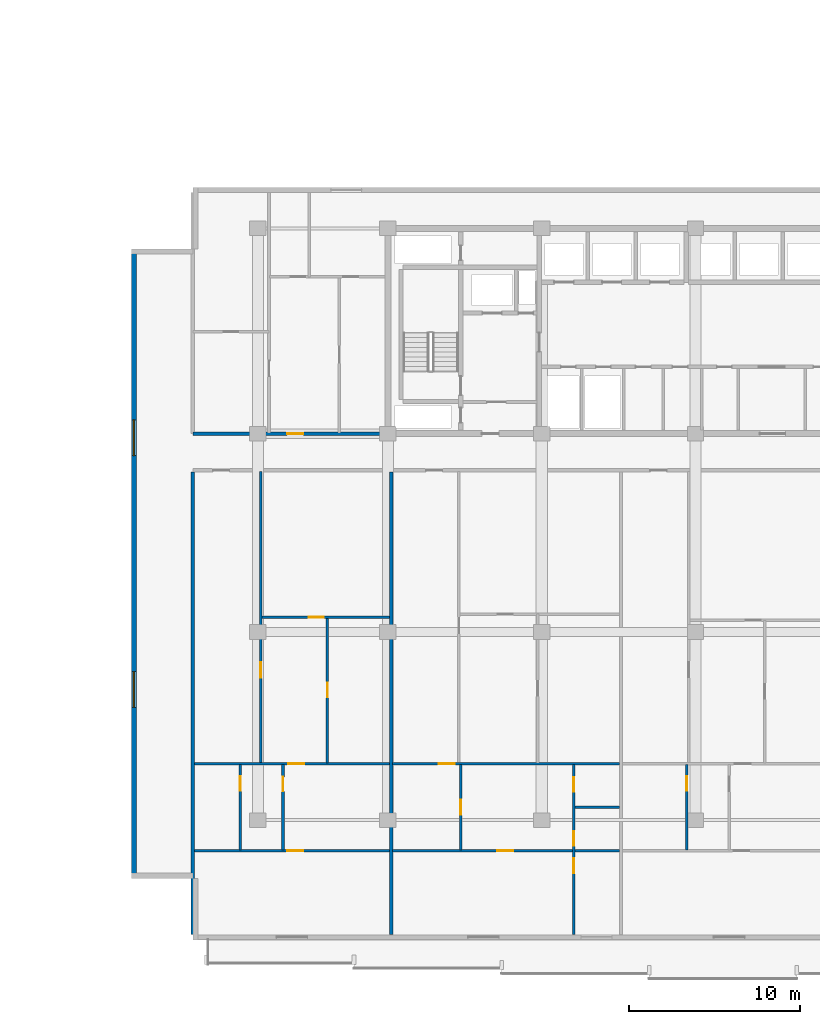
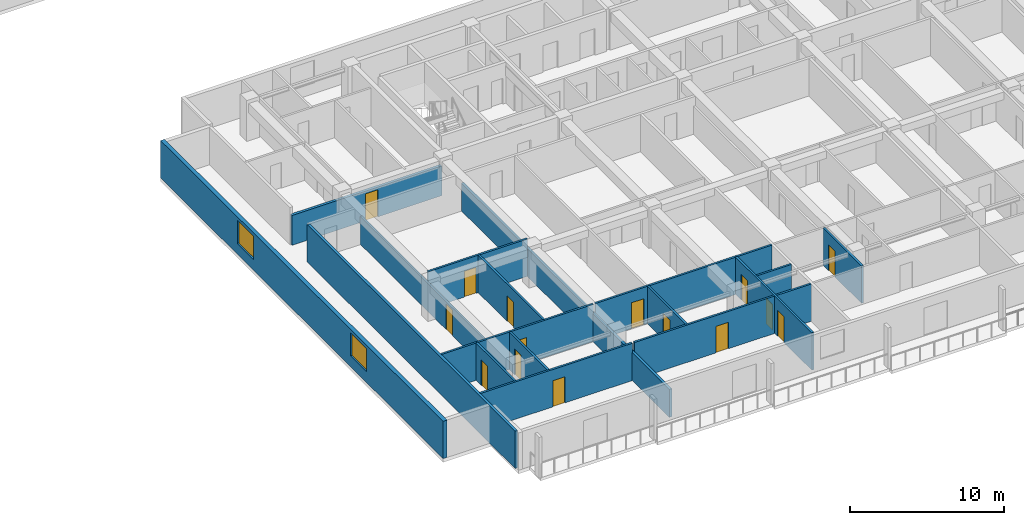
# One storey, part 4 of 24: 17 walls, 15 doors, 2 windows, 17 openings.
"""IFC4 building model written with IfcOpenShell, lengths in metres."""

from ifc_helpers import new_model, si_unit, direction, frame, frame_2d, origin, place, context, subcontext, project, spatial, rectangle, extrude, material, layer, layer_set, type_object, element, fill, save


model = new_model("IFC4")

# Units and contexts
model_context = context("Model", 3, precision=1e-05, world=origin(), true_north=direction((0.0, 1.0)))
body_context = subcontext(model_context, "Body", "Model", "MODEL_VIEW")
ifc_project = project(units=[si_unit("LENGTHUNIT", "METRE"), si_unit("AREAUNIT", "SQUARE_METRE"), si_unit("VOLUMEUNIT", "CUBIC_METRE"), si_unit("PLANEANGLEUNIT", "RADIAN"), si_unit("MASSUNIT", "GRAM", prefix="KILO")], contexts=[model_context])

# Site, building, storey
site_placement = place(None, origin())
site = spatial("IfcSite", under=ifc_project, at=site_placement, CompositionType="ELEMENT")
building_placement = place(site_placement, origin())
building = spatial("IfcBuilding", under=site, at=building_placement, Name="Korimba Cascade Residences", CompositionType="ELEMENT")
storey_placement = place(building_placement, frame((0.0, 0.0, 66.25)))
storey = spatial("IfcBuildingStorey", under=building, at=storey_placement, Name="L18", CompositionType="ELEMENT", Elevation=66.25)

# Wall, openings, windows
ifc_material_1 = material(Name="Precast concrete C40/50", Category="concrete")
ifc_layer_1 = layer(ifc_material_1, 0.300048828125)
ifc_layer_set_1 = layer_set([ifc_layer_1], Name="Precast concrete C40/50")
wall_type_1 = type_object("IfcWallType", Name="EW-STONE-300", PredefinedType="STANDARD", material=ifc_layer_set_1)
wall_1_placement = place(storey_placement, frame((67.25, 29.199951171875, 0.0), z_axis=(0.0, 0.0, 1.0), x_axis=(0.0, -1.0, 0.0)))
wall_1 = element("IfcWall", 1, at=wall_1_placement, inside=storey, type_object=wall_type_1, Name="L18 T2 Perimeter Stone Wall E09", PredefinedType="STANDARD", context=body_context, shape_type="SweptSolid", body=[
    extrude(rectangle(XDim=36.800048828125, YDim=0.300048828125, at=frame_2d((18.39990234375, 0.0))), origin(), (0.0, 0.0, 1.0), 2.969970703125),
])
opening_1_placement = place(wall_1_placement, frame((9.989990234375, 0.0, 0.85009765625)))
opening_1 = element("IfcOpeningElement", 2, at=opening_1_placement, cuts=wall_1, Name="Opening W-03", PredefinedType="OPENING", context=body_context, shape_type="SweptSolid", body=[
    extrude(rectangle(XDim=2.10009765625, YDim=1.85009765625, at=frame_2d((1.050048828125, 0.925048828125))), frame((0.0, 0.16015625, 0.0), z_axis=(0.0, -1.0, 0.0), x_axis=(1.0, 0.0, 0.0)), (0.0, 0.0, 1.0), 0.320068359375),
])
opening_2_placement = place(wall_1_placement, frame((24.7099609375, 0.0, 0.85009765625)))
opening_2 = element("IfcOpeningElement", 3, at=opening_2_placement, cuts=wall_1, Name="Opening W-03", PredefinedType="OPENING", context=body_context, shape_type="SweptSolid", body=[
    extrude(rectangle(XDim=2.10009765625, YDim=1.85009765625, at=frame_2d((1.050048828125, 0.925048828125))), frame((0.0, 0.16015625, 0.0), z_axis=(0.0, -1.0, 0.0), x_axis=(1.0, 0.0, 0.0)), (0.0, 0.0, 1.0), 0.320068359375),
])
ifc_material_2 = material(Name="Double-Glazed Aluminium Window", Category="aluminium")
window_type = type_object("IfcWindowType", Name="WIN-CRN-2100", PartitioningType="DOUBLE_PANEL_HORIZONTAL", PredefinedType="WINDOW", material=ifc_material_2)
window_1_placement = place(opening_1_placement, origin())
window_1 = element("IfcWindow", 4, at=window_1_placement, inside=storey, type_object=window_type, Name="L18 T2 End View Window 9.1", OverallHeight=1.85009765625, OverallWidth=2.10009765625, PartitioningType="DOUBLE_PANEL_HORIZONTAL", PredefinedType="WINDOW", context=body_context, shape_type="SweptSolid", body=[
    extrude(rectangle(XDim=2.10009765625, YDim=1.85009765625, at=frame_2d((1.050048828125, 0.925048828125))), frame((0.0, 0.030029296875, 0.0), z_axis=(0.0, -1.0, 0.0), x_axis=(1.0, 0.0, 0.0)), (0.0, 0.0, 1.0), 0.06005859375),
])
fill(opening_1, window_1)
window_2_placement = place(opening_2_placement, origin())
window_2 = element("IfcWindow", 5, at=window_2_placement, inside=storey, type_object=window_type, Name="L18 T2 End View Window 9.2", OverallHeight=1.85009765625, OverallWidth=2.10009765625, PartitioningType="DOUBLE_PANEL_HORIZONTAL", PredefinedType="WINDOW", context=body_context, shape_type="SweptSolid", body=[
    extrude(rectangle(XDim=2.10009765625, YDim=1.85009765625, at=frame_2d((1.050048828125, 0.925048828125))), frame((0.0, 0.030029296875, 0.0), z_axis=(0.0, -1.0, 0.0), x_axis=(1.0, 0.0, 0.0)), (0.0, 0.0, 1.0), 0.06005859375),
])
fill(opening_2, window_2)

# Wall, opening, door
ifc_layer_2 = layer(ifc_material_1, 0.199951171875)
ifc_layer_set_2 = layer_set([ifc_layer_2], Name="Precast concrete C40/50")
wall_type_2 = type_object("IfcWallType", Name="WAL-IT-200", PredefinedType="PARTITIONING", material=ifc_layer_set_2)
wall_2_placement = place(storey_placement, frame((70.699951171875, 18.39990234375, 0.0), z_axis=(0.0, 0.0, 1.0), x_axis=(1.0, 0.0, 0.0)))
wall_2 = element("IfcWall", 6, at=wall_2_placement, inside=storey, type_object=wall_type_2, Name="L18 Partition Wall WAL-L18-T2-FW-S", PredefinedType="PARTITIONING", context=body_context, shape_type="SweptSolid", body=[
    extrude(rectangle(XDim=11.25, YDim=0.199951171875, at=frame_2d((5.625, 0.0))), origin(), (0.0, 0.0, 1.0), 2.3701171875),
])
opening_3_placement = place(wall_2_placement, frame((5.50634765625, 0.0, 0.0)))
opening_3 = element("IfcOpeningElement", 7, at=opening_3_placement, cuts=wall_2, Name="Opening D-UN1", PredefinedType="OPENING", context=body_context, shape_type="SweptSolid", body=[
    extrude(rectangle(XDim=0.949951171875, YDim=2.14990234375, at=frame_2d((0.47509765625, 1.074951171875))), frame((0.0, 0.10986328125, 0.0), z_axis=(0.0, -1.0, 0.0), x_axis=(1.0, 0.0, 0.0)), (0.0, 0.0, 1.0), 0.219970703125),
])
ifc_material_3 = material(Name="Fire-Rated Hardwood Apartment Entrance Door", Category="wood")
door_type_1 = type_object("IfcDoorType", Name="DR-FD60-950", OperationType="NOTDEFINED", PredefinedType="DOOR", material=ifc_material_3)
door_1_placement = place(opening_3_placement, origin())
door_1 = element("IfcDoor", 8, at=door_1_placement, inside=storey, type_object=door_type_1, Name="L18-T2-FW Entrance Door", OperationType="SINGLE_SWING_RIGHT", OverallHeight=2.14990234375, OverallWidth=0.949951171875, PredefinedType="DOOR", context=body_context, shape_type="SweptSolid", body=[
    extrude(rectangle(XDim=0.949951171875, YDim=2.14990234375, at=frame_2d((0.47509765625, 1.074951171875))), frame((0.0, 0.02490234375, 0.0), z_axis=(0.0, -1.0, 0.0), x_axis=(1.0, 0.0, 0.0)), (0.0, 0.0, 1.0), 0.050048828125),
])
fill(opening_3, door_1)

# Walls
wall_3_placement = place(storey_placement, frame((70.699951171875, -10.89990234375, 0.0), z_axis=(0.0, 0.0, 1.0), x_axis=(0.0, 1.0, 0.0)))
element("IfcWall", 9, at=wall_3_placement, inside=storey, type_object=wall_type_2, Name="L18 Partition Wall WAL-L18-T2-BNDWL", PredefinedType="PARTITIONING", context=body_context, shape_type="SweptSolid", body=[
    extrude(rectangle(XDim=27.06982421875, YDim=0.199951171875, at=frame_2d((13.534912109375, 0.0))), origin(), (0.0, 0.0, 1.0), 2.969970703125),
])
wall_4_placement = place(storey_placement, frame((82.289794921875, -10.89990234375, 0.0), z_axis=(0.0, 0.0, 1.0), x_axis=(0.0, 1.0, 0.0)))
element("IfcWall", 10, at=wall_4_placement, inside=storey, type_object=wall_type_2, Name="L18 Partition Wall WAL-L18-T2-DEM-1", PredefinedType="PARTITIONING", context=body_context, shape_type="SweptSolid", body=[
    extrude(rectangle(XDim=27.06982421875, YDim=0.199951171875, at=frame_2d((13.534912109375, 0.0))), origin(), (0.0, 0.0, 1.0), 2.219970703125),
])

# Wall, opening, door
ifc_material_4 = material(Name="Insulated Acoustic Stud Partition", Category="gypsum")
ifc_layer_3 = layer(ifc_material_4, 0.14990234375)
ifc_layer_set_3 = layer_set([ifc_layer_3], Name="Insulated Acoustic Stud Partition")
wall_type_3 = type_object("IfcWallType", Name="WAL-PART-150", PredefinedType="PARTITIONING", material=ifc_layer_set_3)
wall_5_placement = place(storey_placement, frame((78.56982421875, -0.860107421875, 0.0), z_axis=(0.0, 0.0, 1.0), x_axis=(0.0, 1.0, 0.0)))
wall_5 = element("IfcWall", 11, at=wall_5_placement, inside=storey, type_object=wall_type_3, Name="L18 Partition Wall WAL-L18-T2-U01-FMV", PredefinedType="PARTITIONING", context=body_context, shape_type="SweptSolid", body=[
    extrude(rectangle(XDim=8.525146484375, YDim=0.14990234375, at=frame_2d((4.2626953125, 0.0))), origin(), (0.0, 0.0, 1.0), 2.969970703125),
])
opening_4_placement = place(wall_5_placement, frame((3.842529296875, 0.0, 0.0)))
opening_4 = element("IfcOpeningElement", 12, at=opening_4_placement, cuts=wall_5, Name="Opening D-BT1", PredefinedType="OPENING", context=body_context, shape_type="SweptSolid", body=[
    extrude(rectangle(XDim=0.840087890625, YDim=2.0400390625, at=frame_2d((0.419921875, 1.02001953125))), frame((0.0, 0.0849609375, 0.0), z_axis=(0.0, -1.0, 0.0), x_axis=(1.0, 0.0, 0.0)), (0.0, 0.0, 1.0), 0.169921875),
])
ifc_material_5 = material(Name="Moisture-Resistant Bathroom Timber Door", Category="wood")
door_type_2 = type_object("IfcDoorType", Name="DR-INT-850", OperationType="NOTDEFINED", PredefinedType="DOOR", material=ifc_material_5)
door_2_placement = place(opening_4_placement, origin())
door_2 = element("IfcDoor", 13, at=door_2_placement, inside=storey, type_object=door_type_2, Name="L18-T2-U01 Wardrobe Door", OperationType="SINGLE_SWING_LEFT", OverallHeight=2.0400390625, OverallWidth=0.840087890625, PredefinedType="DOOR", context=body_context, shape_type="SweptSolid", body=[
    extrude(rectangle(XDim=0.840087890625, YDim=2.0400390625, at=frame_2d((0.419921875, 1.02001953125))), frame((0.0, 0.02490234375, 0.0), z_axis=(0.0, -1.0, 0.0), x_axis=(1.0, 0.0, 0.0)), (0.0, 0.0, 1.0), 0.050048828125),
])
fill(opening_4, door_2)

wall_6_placement = place(storey_placement, frame((74.72998046875, 7.6650390625, 0.0), z_axis=(0.0, 0.0, 1.0), x_axis=(1.0, 0.0, 0.0)))
wall_6 = element("IfcWall", 14, at=wall_6_placement, inside=storey, type_object=wall_type_3, Name="L18 Partition Wall WAL-L18-T2-U01-FMH", PredefinedType="PARTITIONING", context=body_context, shape_type="SweptSolid", body=[
    extrude(rectangle(XDim=7.479736328125, YDim=0.14990234375, at=frame_2d((3.73974609375, 0.0))), origin(), (0.0, 0.0, 1.0), 2.969970703125),
])
opening_5_placement = place(wall_6_placement, frame((2.739990234375, 0.0, 0.0)))
opening_5 = element("IfcOpeningElement", 15, at=opening_5_placement, cuts=wall_6, Name="Opening D-IN2", PredefinedType="OPENING", context=body_context, shape_type="SweptSolid", body=[
    extrude(rectangle(XDim=0.8798828125, YDim=2.06005859375, at=frame_2d((0.43994140625, 1.030029296875))), frame((0.0, 0.0849609375, 0.0), z_axis=(0.0, -1.0, 0.0), x_axis=(1.0, 0.0, 0.0)), (0.0, 0.0, 1.0), 0.169921875),
])
ifc_material_6 = material(Name="Acoustic Timber Bedroom Door", Category="wood")
door_type_3 = type_object("IfcDoorType", Name="DR-INT-880", OperationType="NOTDEFINED", PredefinedType="DOOR", material=ifc_material_6)
door_3_placement = place(opening_5_placement, origin())
door_3 = element("IfcDoor", 16, at=door_3_placement, inside=storey, type_object=door_type_3, Name="L18-T2-U01 Library Salon Door", OperationType="SINGLE_SWING_RIGHT", OverallHeight=2.06005859375, OverallWidth=0.8798828125, PredefinedType="DOOR", context=body_context, shape_type="SweptSolid", body=[
    extrude(rectangle(XDim=0.8798828125, YDim=2.06005859375, at=frame_2d((0.43994140625, 1.030029296875))), frame((0.0, 0.02490234375, 0.0), z_axis=(0.0, -1.0, 0.0), x_axis=(1.0, 0.0, 0.0)), (0.0, 0.0, 1.0), 0.050048828125),
])
fill(opening_5, door_3)

wall_7_placement = place(storey_placement, frame((74.669921875, -0.860107421875, 0.0), z_axis=(0.0, 0.0, 1.0), x_axis=(0.0, 1.0, 0.0)))
wall_7 = element("IfcWall", 17, at=wall_7_placement, inside=storey, type_object=wall_type_3, Name="L18 Partition Wall WAL-L18-T2-U01-FV", PredefinedType="PARTITIONING", context=body_context, shape_type="SweptSolid", body=[
    extrude(rectangle(XDim=17.050048828125, YDim=0.14990234375, at=frame_2d((8.52490234375, 0.0))), origin(), (0.0, 0.0, 1.0), 2.219970703125),
])
opening_6_placement = place(wall_7_placement, frame((4.999755859375, 0.0, 0.0)))
opening_6 = element("IfcOpeningElement", 18, at=opening_6_placement, cuts=wall_7, Name="Opening D-IN2", PredefinedType="OPENING", context=body_context, shape_type="SweptSolid", body=[
    extrude(rectangle(XDim=0.8798828125, YDim=2.06005859375, at=frame_2d((0.43994140625, 1.030029296875))), frame((0.0, 0.0849609375, 0.0), z_axis=(0.0, -1.0, 0.0), x_axis=(1.0, 0.0, 0.0)), (0.0, 0.0, 1.0), 0.169921875),
])
door_4_placement = place(opening_6_placement, origin())
door_4 = element("IfcDoor", 19, at=door_4_placement, inside=storey, type_object=door_type_3, Name="L18-T2-U01 Media Lounge Door", OperationType="SINGLE_SWING_LEFT", OverallHeight=2.06005859375, OverallWidth=0.8798828125, PredefinedType="DOOR", context=body_context, shape_type="SweptSolid", body=[
    extrude(rectangle(XDim=0.8798828125, YDim=2.06005859375, at=frame_2d((0.43994140625, 1.030029296875))), frame((0.0, 0.02490234375, 0.0), z_axis=(0.0, -1.0, 0.0), x_axis=(1.0, 0.0, 0.0)), (0.0, 0.0, 1.0), 0.050048828125),
])
fill(opening_6, door_4)

wall_8_placement = place(storey_placement, frame((73.4697265625, -5.93994140625, 0.0), z_axis=(0.0, 0.0, 1.0), x_axis=(0.0, 1.0, 0.0)))
wall_8 = element("IfcWall", 20, at=wall_8_placement, inside=storey, type_object=wall_type_3, Name="L18 Partition Wall WAL-L18-T2-U01-CLS", PredefinedType="PARTITIONING", context=body_context, shape_type="SweptSolid", body=[
    extrude(rectangle(XDim=5.0, YDim=0.14990234375, at=frame_2d((2.5, 0.0))), origin(), (0.0, 0.0, 1.0), 2.969970703125),
])
opening_7_placement = place(wall_8_placement, frame((3.464111328125, 0.0, 0.0)))
opening_7 = element("IfcOpeningElement", 21, at=opening_7_placement, cuts=wall_8, Name="Opening D-BT1", PredefinedType="OPENING", context=body_context, shape_type="SweptSolid", body=[
    extrude(rectangle(XDim=0.840087890625, YDim=2.0400390625, at=frame_2d((0.419921875, 1.02001953125))), frame((0.0, 0.0849609375, 0.0), z_axis=(0.0, -1.0, 0.0), x_axis=(1.0, 0.0, 0.0)), (0.0, 0.0, 1.0), 0.169921875),
])
door_5_placement = place(opening_7_placement, origin())
door_5 = element("IfcDoor", 22, at=door_5_placement, inside=storey, type_object=door_type_2, Name="L18-T2-U01 Closet Door", OperationType="SINGLE_SWING_RIGHT", OverallHeight=2.0400390625, OverallWidth=0.840087890625, PredefinedType="DOOR", context=body_context, shape_type="SweptSolid", body=[
    extrude(rectangle(XDim=0.840087890625, YDim=2.0400390625, at=frame_2d((0.419921875, 1.02001953125))), frame((0.0, 0.02490234375, 0.0), z_axis=(0.0, -1.0, 0.0), x_axis=(1.0, 0.0, 0.0)), (0.0, 0.0, 1.0), 0.050048828125),
])
fill(opening_7, door_5)

wall_9_placement = place(storey_placement, frame((75.9697265625, -5.93994140625, 0.0), z_axis=(0.0, 0.0, 1.0), x_axis=(0.0, 1.0, 0.0)))
wall_9 = element("IfcWall", 23, at=wall_9_placement, inside=storey, type_object=wall_type_3, Name="L18 Partition Wall WAL-L18-T2-U01-BM", PredefinedType="PARTITIONING", context=body_context, shape_type="SweptSolid", body=[
    extrude(rectangle(XDim=5.0, YDim=0.14990234375, at=frame_2d((2.5, 0.0))), origin(), (0.0, 0.0, 1.0), 2.969970703125),
])
opening_8_placement = place(wall_9_placement, frame((3.424072265625, 0.0, 0.0)))
opening_8 = element("IfcOpeningElement", 24, at=opening_8_placement, cuts=wall_9, Name="Opening D-BT1", PredefinedType="OPENING", context=body_context, shape_type="SweptSolid", body=[
    extrude(rectangle(XDim=0.840087890625, YDim=2.0400390625, at=frame_2d((0.419921875, 1.02001953125))), frame((0.0, 0.0849609375, 0.0), z_axis=(0.0, -1.0, 0.0), x_axis=(1.0, 0.0, 0.0)), (0.0, 0.0, 1.0), 0.169921875),
])
door_6_placement = place(opening_8_placement, origin())
door_6 = element("IfcDoor", 25, at=door_6_placement, inside=storey, type_object=door_type_2, Name="L18-T2-U01 Bathroom Door", OperationType="SINGLE_SWING_LEFT", OverallHeight=2.0400390625, OverallWidth=0.840087890625, PredefinedType="DOOR", context=body_context, shape_type="SweptSolid", body=[
    extrude(rectangle(XDim=0.840087890625, YDim=2.0400390625, at=frame_2d((0.419921875, 1.02001953125))), frame((0.0, 0.02490234375, 0.0), z_axis=(0.0, -1.0, 0.0), x_axis=(1.0, 0.0, 0.0)), (0.0, 0.0, 1.0), 0.050048828125),
])
fill(opening_8, door_6)

wall_10_placement = place(storey_placement, frame((70.780029296875, -0.89990234375, 0.0), z_axis=(0.0, 0.0, 1.0), x_axis=(1.0, 0.0, 0.0)))
wall_10 = element("IfcWall", 26, at=wall_10_placement, inside=storey, type_object=wall_type_3, Name="L18 Partition Wall WAL-L18-T2-U01-MW", PredefinedType="PARTITIONING", context=body_context, shape_type="SweptSolid", body=[
    extrude(rectangle(XDim=11.4296875, YDim=0.14990234375, at=frame_2d((5.71484375, 0.0))), origin(), (0.0, 0.0, 1.0), 2.969970703125),
])
opening_9_placement = place(wall_10_placement, frame((5.505859375, 0.0, 0.0)))
opening_9 = element("IfcOpeningElement", 27, at=opening_9_placement, cuts=wall_10, Name="Opening D-IN1", PredefinedType="OPENING", context=body_context, shape_type="SweptSolid", body=[
    extrude(rectangle(XDim=0.919921875, YDim=2.080078125, at=frame_2d((0.4599609375, 1.0400390625))), frame((0.0, 0.0849609375, 0.0), z_axis=(0.0, -1.0, 0.0), x_axis=(1.0, 0.0, 0.0)), (0.0, 0.0, 1.0), 0.169921875),
])
ifc_material_7 = material(Name="Acoustic Timber Living Door", Category="wood")
door_type_4 = type_object("IfcDoorType", Name="DR-INT-920", OperationType="NOTDEFINED", PredefinedType="DOOR", material=ifc_material_7)
door_7_placement = place(opening_9_placement, origin())
door_7 = element("IfcDoor", 28, at=door_7_placement, inside=storey, type_object=door_type_4, Name="L18-T2-U01 Studio Kitchen Door", OperationType="SINGLE_SWING_RIGHT", OverallHeight=2.080078125, OverallWidth=0.919921875, PredefinedType="DOOR", context=body_context, shape_type="SweptSolid", body=[
    extrude(rectangle(XDim=0.919921875, YDim=2.080078125, at=frame_2d((0.4599609375, 1.0400390625))), frame((0.0, 0.02490234375, 0.0), z_axis=(0.0, -1.0, 0.0), x_axis=(1.0, 0.0, 0.0)), (0.0, 0.0, 1.0), 0.050048828125),
])
fill(opening_9, door_7)

wall_11_placement = place(storey_placement, frame((70.780029296875, -6.0, 0.0), z_axis=(0.0, 0.0, 1.0), x_axis=(1.0, 0.0, 0.0)))
wall_11 = element("IfcWall", 29, at=wall_11_placement, inside=storey, type_object=wall_type_3, Name="L18 Partition Wall WAL-L18-T2-U01-HZ", PredefinedType="PARTITIONING", context=body_context, shape_type="SweptSolid", body=[
    extrude(rectangle(XDim=11.4296875, YDim=0.14990234375, at=frame_2d((5.71484375, 0.0))), origin(), (0.0, 0.0, 1.0), 2.969970703125),
])
opening_10_placement = place(wall_11_placement, frame((5.439697265625, 0.0, 0.0)))
opening_10 = element("IfcOpeningElement", 30, at=opening_10_placement, cuts=wall_11, Name="Opening D-IN1", PredefinedType="OPENING", context=body_context, shape_type="SweptSolid", body=[
    extrude(rectangle(XDim=0.919921875, YDim=2.080078125, at=frame_2d((0.4599609375, 1.0400390625))), frame((0.0, 0.0849609375, 0.0), z_axis=(0.0, -1.0, 0.0), x_axis=(1.0, 0.0, 0.0)), (0.0, 0.0, 1.0), 0.169921875),
])
door_8_placement = place(opening_10_placement, origin())
door_8 = element("IfcDoor", 31, at=door_8_placement, inside=storey, type_object=door_type_4, Name="L18-T2-U01 Studio Door", OperationType="SINGLE_SWING_LEFT", OverallHeight=2.080078125, OverallWidth=0.919921875, PredefinedType="DOOR", context=body_context, shape_type="SweptSolid", body=[
    extrude(rectangle(XDim=0.919921875, YDim=2.080078125, at=frame_2d((0.4599609375, 1.0400390625))), frame((0.0, 0.02490234375, 0.0), z_axis=(0.0, -1.0, 0.0), x_axis=(1.0, 0.0, 0.0)), (0.0, 0.0, 1.0), 0.050048828125),
])
fill(opening_10, door_8)

wall_12_placement = place(storey_placement, frame((86.359619140625, -5.93994140625, 0.0), z_axis=(0.0, 0.0, 1.0), x_axis=(0.0, 1.0, 0.0)))
wall_12 = element("IfcWall", 32, at=wall_12_placement, inside=storey, type_object=wall_type_3, Name="L18 Partition Wall WAL-L18-T2-U02-VDIN", PredefinedType="PARTITIONING", context=body_context, shape_type="SweptSolid", body=[
    extrude(rectangle(XDim=5.0, YDim=0.14990234375, at=frame_2d((2.5, 0.0))), origin(), (0.0, 0.0, 1.0), 2.969970703125),
])
opening_11_placement = place(wall_12_placement, frame((2.06005859375, 0.0, 0.0)))
opening_11 = element("IfcOpeningElement", 33, at=opening_11_placement, cuts=wall_12, Name="Opening D-IN2", PredefinedType="OPENING", context=body_context, shape_type="SweptSolid", body=[
    extrude(rectangle(XDim=0.8798828125, YDim=2.06005859375, at=frame_2d((0.43994140625, 1.030029296875))), frame((0.0, 0.0849609375, 0.0), z_axis=(0.0, -1.0, 0.0), x_axis=(1.0, 0.0, 0.0)), (0.0, 0.0, 1.0), 0.169921875),
])
door_9_placement = place(opening_11_placement, origin())
door_9 = element("IfcDoor", 34, at=door_9_placement, inside=storey, type_object=door_type_3, Name="L18-T2-U02 Dining Room Door", OperationType="SINGLE_SWING_LEFT", OverallHeight=2.06005859375, OverallWidth=0.8798828125, PredefinedType="DOOR", context=body_context, shape_type="SweptSolid", body=[
    extrude(rectangle(XDim=0.8798828125, YDim=2.06005859375, at=frame_2d((0.43994140625, 1.030029296875))), frame((0.0, 0.02490234375, 0.0), z_axis=(0.0, -1.0, 0.0), x_axis=(1.0, 0.0, 0.0)), (0.0, 0.0, 1.0), 0.050048828125),
])
fill(opening_11, door_9)

# Wall
wall_13_placement = place(storey_placement, frame((93.0400390625, -3.43994140625, 0.0), z_axis=(0.0, 0.0, 1.0), x_axis=(1.0, 0.0, 0.0)))
element("IfcWall", 35, at=wall_13_placement, inside=storey, type_object=wall_type_3, Name="L18 Partition Wall WAL-L18-T2-U02-BLDIV", PredefinedType="PARTITIONING", context=body_context, shape_type="SweptSolid", body=[
    extrude(rectangle(XDim=2.6162109375, YDim=0.14990234375, at=frame_2d((1.30810546875, 0.0))), origin(), (0.0, 0.0, 1.0), 2.969970703125),
])

# Wall, openings, doors
wall_14_placement = place(storey_placement, frame((92.97998046875, -10.89990234375, 0.0), z_axis=(0.0, 0.0, 1.0), x_axis=(0.0, 1.0, 0.0)))
wall_14 = element("IfcWall", 36, at=wall_14_placement, inside=storey, type_object=wall_type_3, Name="L18 Partition Wall WAL-L18-T2-U02-V1", PredefinedType="PARTITIONING", context=body_context, shape_type="SweptSolid", body=[
    extrude(rectangle(XDim=9.9599609375, YDim=0.14990234375, at=frame_2d((4.97998046875, 0.0))), origin(), (0.0, 0.0, 1.0), 2.969970703125),
])
opening_12_placement = place(wall_14_placement, frame((5.199951171875, 0.0, 0.0)))
opening_12 = element("IfcOpeningElement", 37, at=opening_12_placement, cuts=wall_14, Name="Opening D-BT1", PredefinedType="OPENING", context=body_context, shape_type="SweptSolid", body=[
    extrude(rectangle(XDim=0.840087890625, YDim=2.0400390625, at=frame_2d((0.419921875, 1.02001953125))), frame((0.0, 0.0849609375, 0.0), z_axis=(0.0, -1.0, 0.0), x_axis=(1.0, 0.0, 0.0)), (0.0, 0.0, 1.0), 0.169921875),
])
opening_13_placement = place(wall_14_placement, frame((8.359130859375, 0.0, 0.0)))
opening_13 = element("IfcOpeningElement", 38, at=opening_13_placement, cuts=wall_14, Name="Opening D-BT1", PredefinedType="OPENING", context=body_context, shape_type="SweptSolid", body=[
    extrude(rectangle(XDim=0.840087890625, YDim=2.0400390625, at=frame_2d((0.419921875, 1.02001953125))), frame((0.0, 0.0849609375, 0.0), z_axis=(0.0, -1.0, 0.0), x_axis=(1.0, 0.0, 0.0)), (0.0, 0.0, 1.0), 0.169921875),
])
opening_14_placement = place(wall_14_placement, frame((3.60009765625, 0.0, 0.0)))
opening_14 = element("IfcOpeningElement", 39, at=opening_14_placement, cuts=wall_14, Name="Opening D-IN2", PredefinedType="OPENING", context=body_context, shape_type="SweptSolid", body=[
    extrude(rectangle(XDim=0.8798828125, YDim=2.06005859375, at=frame_2d((0.43994140625, 1.030029296875))), frame((0.0, 0.0849609375, 0.0), z_axis=(0.0, -1.0, 0.0), x_axis=(1.0, 0.0, 0.0)), (0.0, 0.0, 1.0), 0.169921875),
])
door_10_placement = place(opening_12_placement, origin())
door_10 = element("IfcDoor", 40, at=door_10_placement, inside=storey, type_object=door_type_2, Name="L18-T2-U02 Bathroom Door", OperationType="SINGLE_SWING_RIGHT", OverallHeight=2.0400390625, OverallWidth=0.840087890625, PredefinedType="DOOR", context=body_context, shape_type="SweptSolid", body=[
    extrude(rectangle(XDim=0.840087890625, YDim=2.0400390625, at=frame_2d((0.419921875, 1.02001953125))), frame((0.0, 0.02490234375, 0.0), z_axis=(0.0, -1.0, 0.0), x_axis=(1.0, 0.0, 0.0)), (0.0, 0.0, 1.0), 0.050048828125),
])
fill(opening_12, door_10)
door_11_placement = place(opening_13_placement, origin())
door_11 = element("IfcDoor", 41, at=door_11_placement, inside=storey, type_object=door_type_2, Name="L18-T2-U02 Laundry Door", OperationType="SINGLE_SWING_LEFT", OverallHeight=2.0400390625, OverallWidth=0.840087890625, PredefinedType="DOOR", context=body_context, shape_type="SweptSolid", body=[
    extrude(rectangle(XDim=0.840087890625, YDim=2.0400390625, at=frame_2d((0.419921875, 1.02001953125))), frame((0.0, 0.02490234375, 0.0), z_axis=(0.0, -1.0, 0.0), x_axis=(1.0, 0.0, 0.0)), (0.0, 0.0, 1.0), 0.050048828125),
])
fill(opening_13, door_11)
door_12_placement = place(opening_14_placement, origin())
door_12 = element("IfcDoor", 42, at=door_12_placement, inside=storey, type_object=door_type_3, Name="L18-T2-U02 Bedroom 1 Door", OperationType="SINGLE_SWING_RIGHT", OverallHeight=2.06005859375, OverallWidth=0.8798828125, PredefinedType="DOOR", context=body_context, shape_type="SweptSolid", body=[
    extrude(rectangle(XDim=0.8798828125, YDim=2.06005859375, at=frame_2d((0.43994140625, 1.030029296875))), frame((0.0, 0.02490234375, 0.0), z_axis=(0.0, -1.0, 0.0), x_axis=(1.0, 0.0, 0.0)), (0.0, 0.0, 1.0), 0.050048828125),
])
fill(opening_14, door_12)

# Wall, opening, door
wall_15_placement = place(storey_placement, frame((82.36962890625, -0.89990234375, 0.0), z_axis=(0.0, 0.0, 1.0), x_axis=(1.0, 0.0, 0.0)))
wall_15 = element("IfcWall", 43, at=wall_15_placement, inside=storey, type_object=wall_type_3, Name="L18 Partition Wall WAL-L18-T2-U02-MW", PredefinedType="PARTITIONING", context=body_context, shape_type="SweptSolid", body=[
    extrude(rectangle(XDim=13.28662109375, YDim=0.14990234375, at=frame_2d((6.643310546875, 0.0))), origin(), (0.0, 0.0, 1.0), 2.969970703125),
])
opening_15_placement = place(wall_15_placement, frame((2.719970703125, 0.0, 0.0)))
opening_15 = element("IfcOpeningElement", 44, at=opening_15_placement, cuts=wall_15, Name="Opening D-IN1", PredefinedType="OPENING", context=body_context, shape_type="SweptSolid", body=[
    extrude(rectangle(XDim=0.919921875, YDim=2.080078125, at=frame_2d((0.4599609375, 1.0400390625))), frame((0.0, 0.0849609375, 0.0), z_axis=(0.0, -1.0, 0.0), x_axis=(1.0, 0.0, 0.0)), (0.0, 0.0, 1.0), 0.169921875),
])
door_13_placement = place(opening_15_placement, origin())
door_13 = element("IfcDoor", 45, at=door_13_placement, inside=storey, type_object=door_type_4, Name="L18-T2-U02 Kitchen Archway Door", OperationType="SINGLE_SWING_LEFT", OverallHeight=2.080078125, OverallWidth=0.919921875, PredefinedType="DOOR", context=body_context, shape_type="SweptSolid", body=[
    extrude(rectangle(XDim=0.919921875, YDim=2.080078125, at=frame_2d((0.4599609375, 1.0400390625))), frame((0.0, 0.02490234375, 0.0), z_axis=(0.0, -1.0, 0.0), x_axis=(1.0, 0.0, 0.0)), (0.0, 0.0, 1.0), 0.050048828125),
])
fill(opening_15, door_13)

wall_16_placement = place(storey_placement, frame((82.36962890625, -6.0, 0.0), z_axis=(0.0, 0.0, 1.0), x_axis=(1.0, 0.0, 0.0)))
wall_16 = element("IfcWall", 46, at=wall_16_placement, inside=storey, type_object=wall_type_3, Name="L18 Partition Wall WAL-L18-T2-U02-HZ", PredefinedType="PARTITIONING", context=body_context, shape_type="SweptSolid", body=[
    extrude(rectangle(XDim=13.28662109375, YDim=0.14990234375, at=frame_2d((6.643310546875, 0.0))), origin(), (0.0, 0.0, 1.0), 2.969970703125),
])
opening_16_placement = place(wall_16_placement, frame((6.118896484375, 0.0, 0.0)))
opening_16 = element("IfcOpeningElement", 47, at=opening_16_placement, cuts=wall_16, Name="Opening D-IN0", PredefinedType="OPENING", context=body_context, shape_type="SweptSolid", body=[
    extrude(rectangle(XDim=0.93994140625, YDim=2.10009765625, at=frame_2d((0.469970703125, 1.050048828125))), frame((0.0, 0.0849609375, 0.0), z_axis=(0.0, -1.0, 0.0), x_axis=(1.0, 0.0, 0.0)), (0.0, 0.0, 1.0), 0.169921875),
])
ifc_material_8 = material(Name="Acoustic Timber Living Archway Door", Category="wood")
door_type_5 = type_object("IfcDoorType", Name="DR-INT-950", OperationType="NOTDEFINED", PredefinedType="DOOR", material=ifc_material_8)
door_14_placement = place(opening_16_placement, origin())
door_14 = element("IfcDoor", 48, at=door_14_placement, inside=storey, type_object=door_type_5, Name="L18-T2-U02 Living Archway Door", OperationType="SINGLE_SWING_RIGHT", OverallHeight=2.10009765625, OverallWidth=0.93994140625, PredefinedType="DOOR", context=body_context, shape_type="SweptSolid", body=[
    extrude(rectangle(XDim=0.93994140625, YDim=2.10009765625, at=frame_2d((0.469970703125, 1.050048828125))), frame((0.0, 0.02490234375, 0.0), z_axis=(0.0, -1.0, 0.0), x_axis=(1.0, 0.0, 0.0)), (0.0, 0.0, 1.0), 0.050048828125),
])
fill(opening_16, door_14)

wall_17_placement = place(storey_placement, frame((99.574951171875, -5.93994140625, 0.0), z_axis=(0.0, 0.0, 1.0), x_axis=(0.0, 1.0, 0.0)))
wall_17 = element("IfcWall", 49, at=wall_17_placement, inside=storey, type_object=wall_type_3, Name="L18 Partition Wall WAL-L18-T2-U03-CLS", PredefinedType="PARTITIONING", context=body_context, shape_type="SweptSolid", body=[
    extrude(rectangle(XDim=5.0, YDim=0.14990234375, at=frame_2d((2.5, 0.0))), origin(), (0.0, 0.0, 1.0), 2.969970703125),
])
opening_17_placement = place(wall_17_placement, frame((3.464111328125, 0.0, 0.0)))
opening_17 = element("IfcOpeningElement", 50, at=opening_17_placement, cuts=wall_17, Name="Opening D-BT1", PredefinedType="OPENING", context=body_context, shape_type="SweptSolid", body=[
    extrude(rectangle(XDim=0.840087890625, YDim=2.0400390625, at=frame_2d((0.419921875, 1.02001953125))), frame((0.0, 0.0849609375, 0.0), z_axis=(0.0, -1.0, 0.0), x_axis=(1.0, 0.0, 0.0)), (0.0, 0.0, 1.0), 0.169921875),
])
door_15_placement = place(opening_17_placement, origin())
door_15 = element("IfcDoor", 51, at=door_15_placement, inside=storey, type_object=door_type_2, Name="L18-T2-U03 Closet Door", OperationType="SINGLE_SWING_RIGHT", OverallHeight=2.0400390625, OverallWidth=0.840087890625, PredefinedType="DOOR", context=body_context, shape_type="SweptSolid", body=[
    extrude(rectangle(XDim=0.840087890625, YDim=2.0400390625, at=frame_2d((0.419921875, 1.02001953125))), frame((0.0, 0.02490234375, 0.0), z_axis=(0.0, -1.0, 0.0), x_axis=(1.0, 0.0, 0.0)), (0.0, 0.0, 1.0), 0.050048828125),
])
fill(opening_17, door_15)

save(model, "model.ifc")
